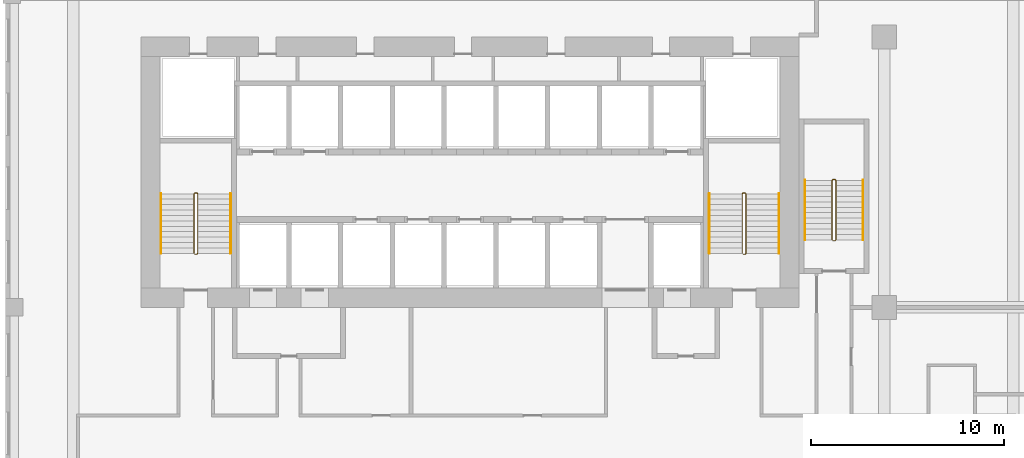
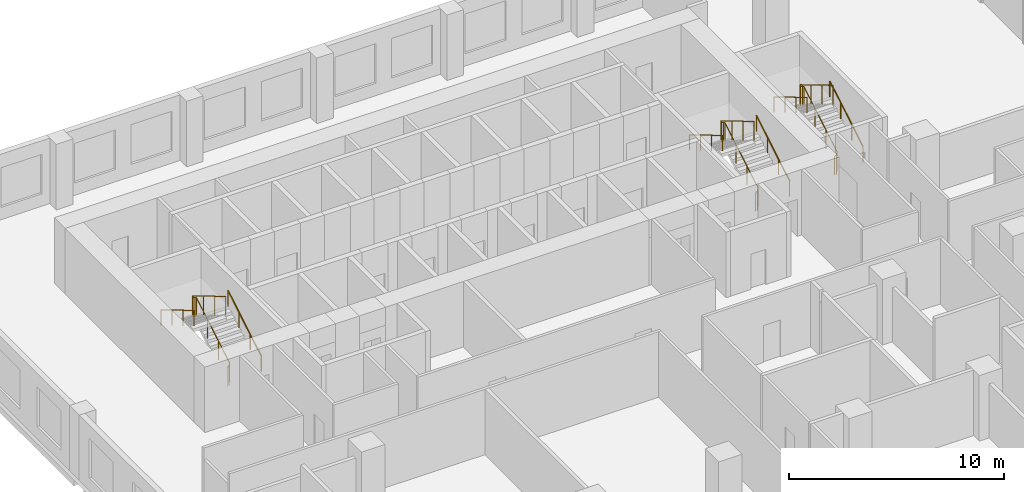
# One storey, part 27 of 28: 9 railings.
"""IFC4 building model written with IfcOpenShell, lengths in metres."""

from ifc_helpers import new_model, si_unit, direction, frame, origin, origin_2d, place, context, subcontext, project, spatial, circle, extrude, material, type_object, element, save


model = new_model("IFC4")

# Units and contexts
model_context = context("Model", 3, precision=1e-05, world=origin(), true_north=direction((0.0, 1.0)))
body_context = subcontext(model_context, "Body", "Model", "MODEL_VIEW")
ifc_project = project(units=[si_unit("LENGTHUNIT", "METRE"), si_unit("AREAUNIT", "SQUARE_METRE"), si_unit("VOLUMEUNIT", "CUBIC_METRE"), si_unit("PLANEANGLEUNIT", "RADIAN"), si_unit("MASSUNIT", "GRAM", prefix="KILO")], contexts=[model_context])

# Site, building, storey
site_placement = place(None, origin())
site = spatial("IfcSite", under=ifc_project, at=site_placement, CompositionType="ELEMENT")
building_placement = place(site_placement, origin())
building = spatial("IfcBuilding", under=site, at=building_placement, Name="Kilnfold Tower and Market Hall", CompositionType="ELEMENT")
storey_placement = place(building_placement, frame((0.0, 0.0, 87.199951171875)))
storey = spatial("IfcBuildingStorey", under=building, at=storey_placement, Name="L20", CompositionType="ELEMENT", Elevation=87.199951171875)

# Railings
ifc_material_1 = material(Name="Stainless steel 316", Category="steel")
railing_type_1 = type_object("IfcRailingType", Name="CORE STAIR GUARD 1100", PredefinedType="GUARDRAIL", material=ifc_material_1)
railing_1_placement = place(storey_placement, frame((-13.199951171875, 10.75, 0.0)))
element("IfcRailing", 1, at=railing_1_placement, inside=storey, type_object=railing_type_1, Name="L20 ST1 stair guard 1", PredefinedType="GUARDRAIL", context=body_context, shape_type="SweptSolid", body=[
    extrude(circle(Radius=0.02392578125, at=origin_2d()), frame((0.0, 0.0, 1.076171875), z_axis=(1.0, 0.0, 0.0), x_axis=(0.0, 1.0, 0.0)), (0.0, 0.0, 1.0), 0.099853515625),
    extrude(circle(Radius=0.02392578125, at=origin_2d()), frame((0.099853515625, 0.0, 1.076171875), z_axis=(0.27628659633, 0.27628659633, 0.920506074601), x_axis=(-0.707106781187, 0.707106781187, 0.0)), (0.0, 0.0, 1.0), 0.18115234375),
    extrude(circle(Radius=0.02392578125, at=origin_2d()), frame((0.14990234375, 0.050048828125, 1.24267578125), z_axis=(0.0, 0.859290745958, 0.51148745235), x_axis=(-1.0, 0.0, 0.0)), (0.0, 0.0, 1.0), 3.584228515625),
    extrude(circle(Radius=0.02392578125, at=origin_2d()), frame((0.14990234375, 3.1298828125, 3.076171875), z_axis=(-0.707106781187, 0.707106781187, 0.0), x_axis=(-0.707106781187, -0.707106781187, 0.0)), (0.0, 0.0, 1.0), 0.07080078125),
    extrude(circle(Radius=0.02392578125, at=origin_2d()), frame((0.099853515625, 3.179931640625, 3.076171875), z_axis=(-1.0, 0.0, 0.0), x_axis=(0.0, -1.0, 0.0)), (0.0, 0.0, 1.0), 0.099853515625),
    extrude(circle(Radius=0.02392578125, at=origin_2d()), frame((0.0, 3.179931640625, 3.076171875), z_axis=(-0.27628659633, -0.27628659633, 0.920506074601), x_axis=(0.707106781187, -0.707106781187, 0.0)), (0.0, 0.0, 1.0), 0.18115234375),
    extrude(circle(Radius=0.02392578125, at=origin_2d()), frame((-0.050048828125, 3.1298828125, 3.24267578125), z_axis=(0.0, -0.859290745958, 0.51148745235), x_axis=(1.0, 0.0, 0.0)), (0.0, 0.0, 1.0), 3.584228515625),
    extrude(circle(Radius=0.02099609375, at=origin_2d()), origin(), (0.0, 0.0, 1.0), 1.052001953125),
    extrude(circle(Radius=0.02099609375, at=origin_2d()), frame((0.099853515625, 0.0, 0.0)), (0.0, 0.0, 1.0), 1.052001953125),
    extrude(circle(Radius=0.02099609375, at=origin_2d()), frame((0.14990234375, 0.050048828125, 0.166748046875)), (0.0, 0.0, 1.0), 1.052001953125),
    extrude(circle(Radius=0.02099609375, at=origin_2d()), frame((0.14990234375, 1.07666015625, 0.77783203125)), (0.0, 0.0, 1.0), 1.052001953125),
    extrude(circle(Radius=0.02099609375, at=origin_2d()), frame((0.14990234375, 2.103271484375, 1.388916015625)), (0.0, 0.0, 1.0), 1.052001953125),
    extrude(circle(Radius=0.02099609375, at=origin_2d()), frame((0.14990234375, 3.1298828125, 2.0)), (0.0, 0.0, 1.0), 1.052001953125),
    extrude(circle(Radius=0.02099609375, at=origin_2d()), frame((0.099853515625, 3.179931640625, 2.0)), (0.0, 0.0, 1.0), 1.052001953125),
    extrude(circle(Radius=0.02099609375, at=origin_2d()), frame((0.0, 3.179931640625, 2.0)), (0.0, 0.0, 1.0), 1.052001953125),
    extrude(circle(Radius=0.02099609375, at=origin_2d()), frame((-0.050048828125, 3.1298828125, 2.166748046875)), (0.0, 0.0, 1.0), 1.052001953125),
    extrude(circle(Radius=0.02099609375, at=origin_2d()), frame((-0.050048828125, 2.103271484375, 2.77783203125)), (0.0, 0.0, 1.0), 1.052001953125),
    extrude(circle(Radius=0.02099609375, at=origin_2d()), frame((-0.050048828125, 1.07666015625, 3.388916015625)), (0.0, 0.0, 1.0), 1.052001953125),
    extrude(circle(Radius=0.02099609375, at=origin_2d()), frame((-0.050048828125, 0.050048828125, 4.0)), (0.0, 0.0, 1.0), 1.052001953125),
])
railing_2_placement = place(storey_placement, frame((15.199951171875, 10.75, 0.0)))
element("IfcRailing", 2, at=railing_2_placement, inside=storey, type_object=railing_type_1, Name="L20 ST2 stair guard 1", PredefinedType="GUARDRAIL", context=body_context, shape_type="SweptSolid", body=[
    extrude(circle(Radius=0.02392578125, at=origin_2d()), frame((0.0, 0.0, 1.076171875), z_axis=(1.0, 0.0, 0.0), x_axis=(0.0, 1.0, 0.0)), (0.0, 0.0, 1.0), 0.10009765625),
    extrude(circle(Radius=0.02392578125, at=origin_2d()), frame((0.10009765625, 0.0, 1.076171875), z_axis=(0.27628659633, 0.27628659633, 0.920506074601), x_axis=(-0.707106781187, 0.707106781187, 0.0)), (0.0, 0.0, 1.0), 0.18115234375),
    extrude(circle(Radius=0.02392578125, at=origin_2d()), frame((0.150146484375, 0.050048828125, 1.24267578125), z_axis=(0.0, 0.859290745958, 0.51148745235), x_axis=(-1.0, 0.0, 0.0)), (0.0, 0.0, 1.0), 3.584228515625),
    extrude(circle(Radius=0.02392578125, at=origin_2d()), frame((0.150146484375, 3.1298828125, 3.076171875), z_axis=(-0.707106781187, 0.707106781187, 0.0), x_axis=(-0.707106781187, -0.707106781187, 0.0)), (0.0, 0.0, 1.0), 0.07080078125),
    extrude(circle(Radius=0.02392578125, at=origin_2d()), frame((0.10009765625, 3.179931640625, 3.076171875), z_axis=(-1.0, 0.0, 0.0), x_axis=(0.0, -1.0, 0.0)), (0.0, 0.0, 1.0), 0.10009765625),
    extrude(circle(Radius=0.02392578125, at=origin_2d()), frame((0.0, 3.179931640625, 3.076171875), z_axis=(-0.27628659633, -0.27628659633, 0.920506074601), x_axis=(0.707106781187, -0.707106781187, 0.0)), (0.0, 0.0, 1.0), 0.18115234375),
    extrude(circle(Radius=0.02392578125, at=origin_2d()), frame((-0.050048828125, 3.1298828125, 3.24267578125), z_axis=(0.0, -0.859290745958, 0.51148745235), x_axis=(1.0, 0.0, 0.0)), (0.0, 0.0, 1.0), 3.584228515625),
    extrude(circle(Radius=0.02099609375, at=origin_2d()), origin(), (0.0, 0.0, 1.0), 1.052001953125),
    extrude(circle(Radius=0.02099609375, at=origin_2d()), frame((0.10009765625, 0.0, 0.0)), (0.0, 0.0, 1.0), 1.052001953125),
    extrude(circle(Radius=0.02099609375, at=origin_2d()), frame((0.150146484375, 0.050048828125, 0.166748046875)), (0.0, 0.0, 1.0), 1.052001953125),
    extrude(circle(Radius=0.02099609375, at=origin_2d()), frame((0.150146484375, 1.07666015625, 0.77783203125)), (0.0, 0.0, 1.0), 1.052001953125),
    extrude(circle(Radius=0.02099609375, at=origin_2d()), frame((0.150146484375, 2.103271484375, 1.388916015625)), (0.0, 0.0, 1.0), 1.052001953125),
    extrude(circle(Radius=0.02099609375, at=origin_2d()), frame((0.150146484375, 3.1298828125, 2.0)), (0.0, 0.0, 1.0), 1.052001953125),
    extrude(circle(Radius=0.02099609375, at=origin_2d()), frame((0.10009765625, 3.179931640625, 2.0)), (0.0, 0.0, 1.0), 1.052001953125),
    extrude(circle(Radius=0.02099609375, at=origin_2d()), frame((0.0, 3.179931640625, 2.0)), (0.0, 0.0, 1.0), 1.052001953125),
    extrude(circle(Radius=0.02099609375, at=origin_2d()), frame((-0.050048828125, 3.1298828125, 2.166748046875)), (0.0, 0.0, 1.0), 1.052001953125),
    extrude(circle(Radius=0.02099609375, at=origin_2d()), frame((-0.050048828125, 2.103271484375, 2.77783203125)), (0.0, 0.0, 1.0), 1.052001953125),
    extrude(circle(Radius=0.02099609375, at=origin_2d()), frame((-0.050048828125, 1.07666015625, 3.388916015625)), (0.0, 0.0, 1.0), 1.052001953125),
    extrude(circle(Radius=0.02099609375, at=origin_2d()), frame((-0.050048828125, 0.050048828125, 4.0)), (0.0, 0.0, 1.0), 1.052001953125),
])
railing_3_placement = place(storey_placement, frame((19.85009765625, 11.449951171875, 0.0)))
element("IfcRailing", 3, at=railing_3_placement, inside=storey, type_object=railing_type_1, Name="L20 ST5 stair guard 1", PredefinedType="GUARDRAIL", context=body_context, shape_type="SweptSolid", body=[
    extrude(circle(Radius=0.02392578125, at=origin_2d()), frame((0.0, 0.0, 1.076171875), z_axis=(1.0, 0.0, 0.0), x_axis=(0.0, 1.0, 0.0)), (0.0, 0.0, 1.0), 0.099853515625),
    extrude(circle(Radius=0.02392578125, at=origin_2d()), frame((0.099853515625, 0.0, 1.076171875), z_axis=(0.27628659633, 0.27628659633, 0.920506074601), x_axis=(-0.707106781187, 0.707106781187, 0.0)), (0.0, 0.0, 1.0), 0.18115234375),
    extrude(circle(Radius=0.02392578125, at=origin_2d()), frame((0.14990234375, 0.050048828125, 1.24267578125), z_axis=(0.0, 0.859308565015, 0.511457515432), x_axis=(-1.0, 0.0, 0.0)), (0.0, 0.0, 1.0), 3.58447265625),
    extrude(circle(Radius=0.02392578125, at=origin_2d()), frame((0.14990234375, 3.130126953125, 3.076171875), z_axis=(-0.708833529934, 0.705375805398, 0.0), x_axis=(-0.705375805398, -0.708833529934, 0.0)), (0.0, 0.0, 1.0), 0.070556640625),
    extrude(circle(Radius=0.02392578125, at=origin_2d()), frame((0.099853515625, 3.179931640625, 3.076171875), z_axis=(-1.0, 0.0, 0.0), x_axis=(0.0, -1.0, 0.0)), (0.0, 0.0, 1.0), 0.099853515625),
    extrude(circle(Radius=0.02392578125, at=origin_2d()), frame((0.0, 3.179931640625, 3.076171875), z_axis=(-0.276389281352, -0.275041040955, 0.920848191041), x_axis=(0.705375805398, -0.708833529934, 0.0)), (0.0, 0.0, 1.0), 0.18115234375),
    extrude(circle(Radius=0.02392578125, at=origin_2d()), frame((-0.050048828125, 3.130126953125, 3.24267578125), z_axis=(0.0, -0.859308565015, 0.511457515432), x_axis=(1.0, 0.0, 0.0)), (0.0, 0.0, 1.0), 3.58447265625),
    extrude(circle(Radius=0.02099609375, at=origin_2d()), origin(), (0.0, 0.0, 1.0), 1.052001953125),
    extrude(circle(Radius=0.02099609375, at=origin_2d()), frame((0.099853515625, 0.0, 0.0)), (0.0, 0.0, 1.0), 1.052001953125),
    extrude(circle(Radius=0.02099609375, at=origin_2d()), frame((0.14990234375, 0.050048828125, 0.166748046875)), (0.0, 0.0, 1.0), 1.052001953125),
    extrude(circle(Radius=0.02099609375, at=origin_2d()), frame((0.14990234375, 1.07666015625, 0.77783203125)), (0.0, 0.0, 1.0), 1.052001953125),
    extrude(circle(Radius=0.02099609375, at=origin_2d()), frame((0.14990234375, 2.103515625, 1.388916015625)), (0.0, 0.0, 1.0), 1.052001953125),
    extrude(circle(Radius=0.02099609375, at=origin_2d()), frame((0.14990234375, 3.130126953125, 2.0)), (0.0, 0.0, 1.0), 1.052001953125),
    extrude(circle(Radius=0.02099609375, at=origin_2d()), frame((0.099853515625, 3.179931640625, 2.0)), (0.0, 0.0, 1.0), 1.052001953125),
    extrude(circle(Radius=0.02099609375, at=origin_2d()), frame((0.0, 3.179931640625, 2.0)), (0.0, 0.0, 1.0), 1.052001953125),
    extrude(circle(Radius=0.02099609375, at=origin_2d()), frame((-0.050048828125, 3.130126953125, 2.166748046875)), (0.0, 0.0, 1.0), 1.052001953125),
    extrude(circle(Radius=0.02099609375, at=origin_2d()), frame((-0.050048828125, 2.103515625, 2.77783203125)), (0.0, 0.0, 1.0), 1.052001953125),
    extrude(circle(Radius=0.02099609375, at=origin_2d()), frame((-0.050048828125, 1.07666015625, 3.388916015625)), (0.0, 0.0, 1.0), 1.052001953125),
    extrude(circle(Radius=0.02099609375, at=origin_2d()), frame((-0.050048828125, 0.050048828125, 4.0)), (0.0, 0.0, 1.0), 1.052001953125),
])
ifc_material_2 = material(Name="Stainless steel 316", Category="steel")
railing_type_2 = type_object("IfcRailingType", Name="CORE STAIR HANDRAIL 900", PredefinedType="HANDRAIL", material=ifc_material_2)
railing_4_placement = place(storey_placement, frame((-11.35009765625, 10.800048828125, 0.166748046875)))
element("IfcRailing", 4, at=railing_4_placement, inside=storey, type_object=railing_type_2, Name="L20 ST1 stair handrail 1", PredefinedType="HANDRAIL", context=body_context, shape_type="SweptSolid", body=[
    extrude(circle(Radius=0.02392578125, at=origin_2d()), frame((0.0, 0.0, 0.8759765625), z_axis=(0.0, 0.859290745958, 0.51148745235), x_axis=(-1.0, 0.0, 0.0)), (0.0, 0.0, 1.0), 3.584228515625),
    extrude(circle(Radius=0.02099609375, at=origin_2d()), origin(), (0.0, 0.0, 1.0), 0.851806640625),
    extrude(circle(Radius=0.02099609375, at=origin_2d()), frame((0.0, 1.026611328125, 0.611083984375)), (0.0, 0.0, 1.0), 0.851806640625),
    extrude(circle(Radius=0.02099609375, at=origin_2d()), frame((0.0, 2.05322265625, 1.22216796875)), (0.0, 0.0, 1.0), 0.851806640625),
    extrude(circle(Radius=0.02099609375, at=origin_2d()), frame((0.0, 3.079833984375, 1.833251953125)), (0.0, 0.0, 1.0), 0.851806640625),
])
railing_5_placement = place(storey_placement, frame((-14.949951171875, 13.8798828125, 2.166748046875)))
element("IfcRailing", 5, at=railing_5_placement, inside=storey, type_object=railing_type_2, Name="L20 ST1 stair handrail 2", PredefinedType="HANDRAIL", context=body_context, shape_type="SweptSolid", body=[
    extrude(circle(Radius=0.02392578125, at=origin_2d()), frame((0.0, 0.0, 0.8759765625), z_axis=(0.0, -0.859290745958, 0.51148745235), x_axis=(1.0, 0.0, 0.0)), (0.0, 0.0, 1.0), 3.584228515625),
    extrude(circle(Radius=0.02099609375, at=origin_2d()), origin(), (0.0, 0.0, 1.0), 0.851806640625),
    extrude(circle(Radius=0.02099609375, at=origin_2d()), frame((0.0, -1.026611328125, 0.611083984375)), (0.0, 0.0, 1.0), 0.851806640625),
    extrude(circle(Radius=0.02099609375, at=origin_2d()), frame((0.0, -2.05322265625, 1.22216796875)), (0.0, 0.0, 1.0), 0.851806640625),
    extrude(circle(Radius=0.02099609375, at=origin_2d()), frame((0.0, -3.079833984375, 1.833251953125)), (0.0, 0.0, 1.0), 0.851806640625),
])
railing_6_placement = place(storey_placement, frame((17.050048828125, 10.800048828125, 0.166748046875)))
element("IfcRailing", 6, at=railing_6_placement, inside=storey, type_object=railing_type_2, Name="L20 ST2 stair handrail 1", PredefinedType="HANDRAIL", context=body_context, shape_type="SweptSolid", body=[
    extrude(circle(Radius=0.02392578125, at=origin_2d()), frame((0.0, 0.0, 0.8759765625), z_axis=(0.0, 0.859290745958, 0.51148745235), x_axis=(-1.0, 0.0, 0.0)), (0.0, 0.0, 1.0), 3.584228515625),
    extrude(circle(Radius=0.02099609375, at=origin_2d()), origin(), (0.0, 0.0, 1.0), 0.851806640625),
    extrude(circle(Radius=0.02099609375, at=origin_2d()), frame((0.0, 1.026611328125, 0.611083984375)), (0.0, 0.0, 1.0), 0.851806640625),
    extrude(circle(Radius=0.02099609375, at=origin_2d()), frame((0.0, 2.05322265625, 1.22216796875)), (0.0, 0.0, 1.0), 0.851806640625),
    extrude(circle(Radius=0.02099609375, at=origin_2d()), frame((0.0, 3.079833984375, 1.833251953125)), (0.0, 0.0, 1.0), 0.851806640625),
])
railing_7_placement = place(storey_placement, frame((13.449951171875, 13.8798828125, 2.166748046875)))
element("IfcRailing", 7, at=railing_7_placement, inside=storey, type_object=railing_type_2, Name="L20 ST2 stair handrail 2", PredefinedType="HANDRAIL", context=body_context, shape_type="SweptSolid", body=[
    extrude(circle(Radius=0.02392578125, at=origin_2d()), frame((0.0, 0.0, 0.8759765625), z_axis=(0.0, -0.859290745958, 0.51148745235), x_axis=(1.0, 0.0, 0.0)), (0.0, 0.0, 1.0), 3.584228515625),
    extrude(circle(Radius=0.02099609375, at=origin_2d()), origin(), (0.0, 0.0, 1.0), 0.851806640625),
    extrude(circle(Radius=0.02099609375, at=origin_2d()), frame((0.0, -1.026611328125, 0.611083984375)), (0.0, 0.0, 1.0), 0.851806640625),
    extrude(circle(Radius=0.02099609375, at=origin_2d()), frame((0.0, -2.05322265625, 1.22216796875)), (0.0, 0.0, 1.0), 0.851806640625),
    extrude(circle(Radius=0.02099609375, at=origin_2d()), frame((0.0, -3.079833984375, 1.833251953125)), (0.0, 0.0, 1.0), 0.851806640625),
])
railing_8_placement = place(storey_placement, frame((21.39990234375, 11.5, 0.166748046875)))
element("IfcRailing", 8, at=railing_8_placement, inside=storey, type_object=railing_type_2, Name="L20 ST5 stair handrail 1", PredefinedType="HANDRAIL", context=body_context, shape_type="SweptSolid", body=[
    extrude(circle(Radius=0.02392578125, at=origin_2d()), frame((0.0, 0.0, 0.8759765625), z_axis=(0.0, 0.859308565015, 0.511457515432), x_axis=(-1.0, 0.0, 0.0)), (0.0, 0.0, 1.0), 3.58447265625),
    extrude(circle(Radius=0.02099609375, at=origin_2d()), origin(), (0.0, 0.0, 1.0), 0.851806640625),
    extrude(circle(Radius=0.02099609375, at=origin_2d()), frame((0.0, 1.026611328125, 0.611083984375)), (0.0, 0.0, 1.0), 0.851806640625),
    extrude(circle(Radius=0.02099609375, at=origin_2d()), frame((0.0, 2.053466796875, 1.22216796875)), (0.0, 0.0, 1.0), 0.851806640625),
    extrude(circle(Radius=0.02099609375, at=origin_2d()), frame((0.0, 3.080078125, 1.833251953125)), (0.0, 0.0, 1.0), 0.851806640625),
])
railing_9_placement = place(storey_placement, frame((18.39990234375, 14.580078125, 2.166748046875)))
element("IfcRailing", 9, at=railing_9_placement, inside=storey, type_object=railing_type_2, Name="L20 ST5 stair handrail 2", PredefinedType="HANDRAIL", context=body_context, shape_type="SweptSolid", body=[
    extrude(circle(Radius=0.02392578125, at=origin_2d()), frame((0.0, 0.0, 0.8759765625), z_axis=(0.0, -0.859308565015, 0.511457515432), x_axis=(1.0, 0.0, 0.0)), (0.0, 0.0, 1.0), 3.58447265625),
    extrude(circle(Radius=0.02099609375, at=origin_2d()), origin(), (0.0, 0.0, 1.0), 0.851806640625),
    extrude(circle(Radius=0.02099609375, at=origin_2d()), frame((0.0, -1.026611328125, 0.611083984375)), (0.0, 0.0, 1.0), 0.851806640625),
    extrude(circle(Radius=0.02099609375, at=origin_2d()), frame((0.0, -2.053466796875, 1.22216796875)), (0.0, 0.0, 1.0), 0.851806640625),
    extrude(circle(Radius=0.02099609375, at=origin_2d()), frame((0.0, -3.080078125, 1.833251953125)), (0.0, 0.0, 1.0), 0.851806640625),
])

save(model, "model.ifc")
